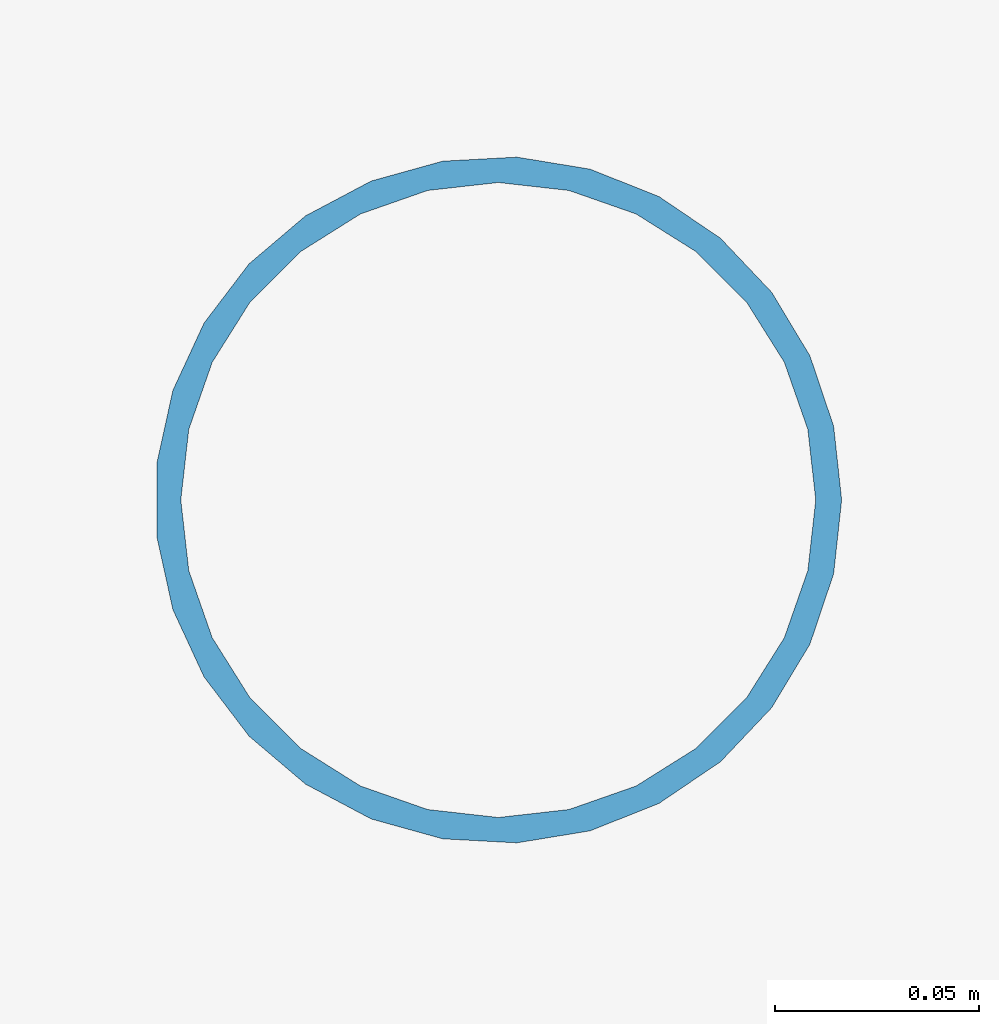
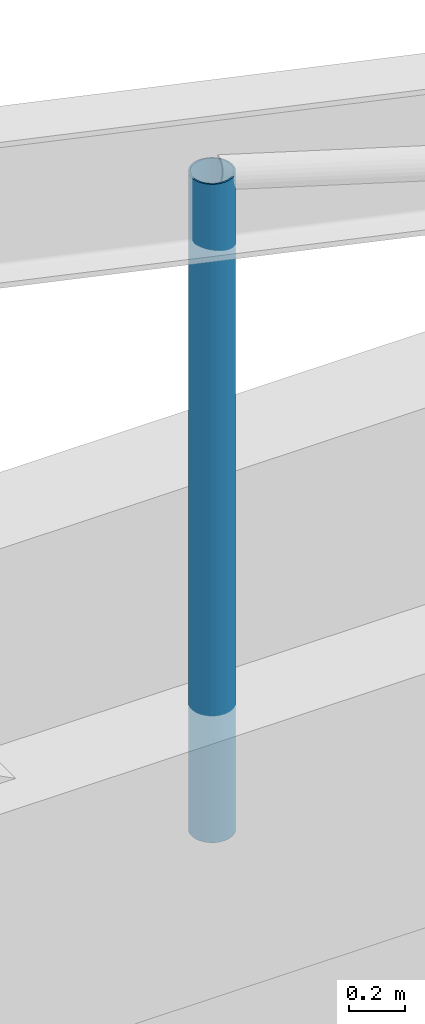
# One storey, part 41 of 105: 1 member.
"""IFC4 building model written with IfcOpenShell, lengths in metres."""

from ifc_helpers import new_model, si_unit, direction, frame, origin, origin_2d, place, context, subcontext, project, spatial, hollow_circle, extrude, material, material_profile, profile_set, type_object, element, save


model = new_model("IFC4")

# Units and contexts
model_context = context("Model", 3, precision=1e-05, world=origin(), true_north=direction((0.0, 1.0)))
body_context = subcontext(model_context, "Body", "Model", "MODEL_VIEW")
ifc_project = project(units=[si_unit("LENGTHUNIT", "METRE"), si_unit("AREAUNIT", "SQUARE_METRE"), si_unit("VOLUMEUNIT", "CUBIC_METRE"), si_unit("PLANEANGLEUNIT", "RADIAN"), si_unit("MASSUNIT", "GRAM", prefix="KILO")], contexts=[model_context])

# Site, building, storey
site_placement = place(None, origin())
site = spatial("IfcSite", under=ifc_project, at=site_placement, CompositionType="ELEMENT")
building_placement = place(site_placement, origin())
building = spatial("IfcBuilding", under=site, at=building_placement, Name="Pelvatis Terrace Science Centre", CompositionType="ELEMENT")
storey_placement = place(building_placement, frame((0.0, 0.0, 10.199951171875)))
storey = spatial("IfcBuildingStorey", under=building, at=storey_placement, Name="L02", CompositionType="ELEMENT", Elevation=10.199951171875)

# Member
ifc_material = material(Name="Structural steel S355", Category="steel")
ifc_material_profile = material_profile(ifc_material, hollow_circle(Radius=0.084228515625, WallThickness=0.00634765625, at=origin_2d()), Name="CHS 168.3x6.3")
ifc_profile_set = profile_set([ifc_material_profile], Name="Structural steel S355")
member_type = type_object("IfcMemberType", Name="MEM-STR-CHS168", PredefinedType="STRUT", material=ifc_profile_set)
member_placement = place(storey_placement, frame((36.699951171875, 116.39990234375, 3.400146484375), z_axis=(0.0, 0.0, 1.0), x_axis=(1.0, 0.0, 0.0)))
element("IfcMember", 1, at=member_placement, inside=storey, type_object=member_type, Name="Theatre truss 7 web 2", PredefinedType="STRUT", context=body_context, shape_type="SweptSolid", body=[
    extrude(hollow_circle(Radius=0.084228515625, WallThickness=0.00634765625, at=origin_2d()), origin(), (0.0, 0.0, 1.0), 2.849853515625),
])

save(model, "model.ifc")
